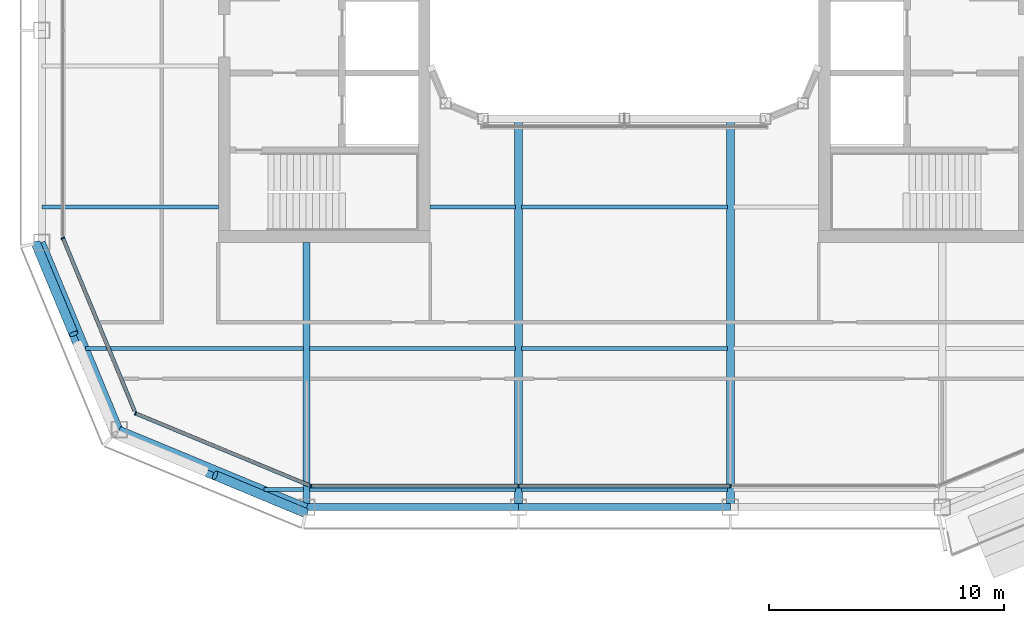
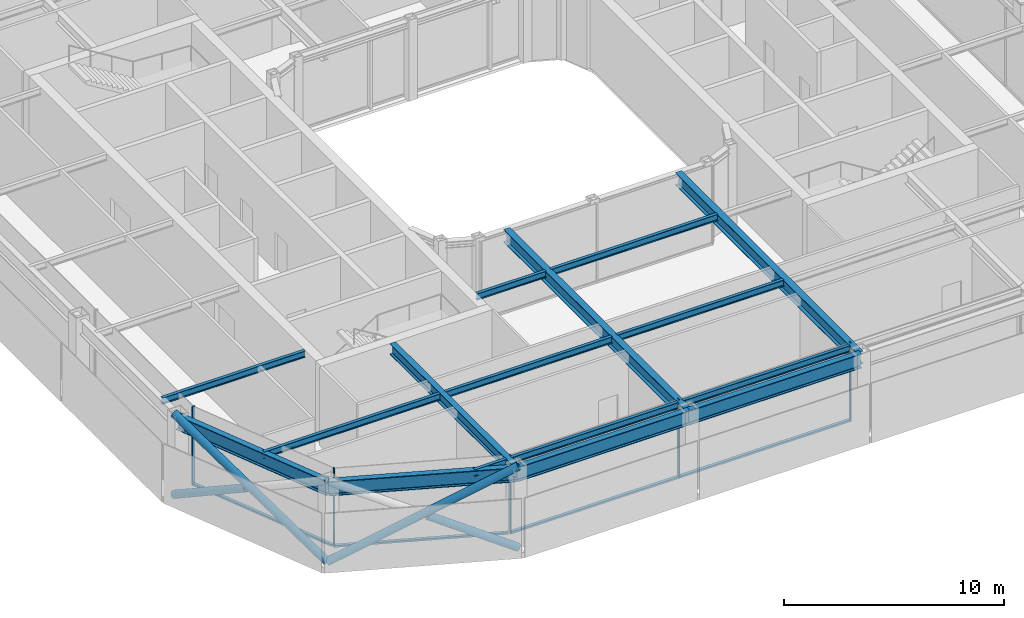
# One storey, part 3 of 21: 16 beams, 13 members, 3 elements without a shape of their own.
"""IFC4 building model written with IfcOpenShell, lengths in metres."""

from ifc_helpers import new_model, si_unit, direction, frame, origin, origin_2d, place, context, subcontext, project, spatial, rectangle, hollow_circle, i_section, extrude, material, layer, layer_set, material_profile, profile_set, type_object, element, aggregate, save


model = new_model("IFC4")

# Units and contexts
model_context = context("Model", 3, precision=1e-05, world=origin(), true_north=direction((0.0, 1.0)))
body_context = subcontext(model_context, "Body", "Model", "MODEL_VIEW")
ifc_project = project(units=[si_unit("LENGTHUNIT", "METRE"), si_unit("AREAUNIT", "SQUARE_METRE"), si_unit("VOLUMEUNIT", "CUBIC_METRE"), si_unit("PLANEANGLEUNIT", "RADIAN"), si_unit("MASSUNIT", "GRAM", prefix="KILO")], contexts=[model_context])

# Site, building, storey
site_placement = place(None, origin())
site = spatial("IfcSite", under=ifc_project, at=site_placement, CompositionType="ELEMENT")
building_placement = place(site_placement, origin())
building = spatial("IfcBuilding", under=site, at=building_placement, Name="Siwar Civic Tower", CompositionType="ELEMENT")
storey_placement = place(building_placement, frame((0.0, 0.0, 339.199951171875)))
storey = spatial("IfcBuildingStorey", under=building, at=storey_placement, Name="L73", CompositionType="ELEMENT", Elevation=339.199951171875)

# Curtain wall, members
ifc_material_1 = material(Name="Aluminium and glass", Category="aluminium")
ifc_layer_1 = layer(ifc_material_1, 0.159912109375)
ifc_layer_set_1 = layer_set([ifc_layer_1], Name="Aluminium and glass")
curtain_wall_type_1 = type_object("IfcCurtainWallType", Name="ENV-CW-D", PredefinedType="NOTDEFINED", material=ifc_layer_set_1)
curtain_wall_1_placement = place(storey_placement, origin())
curtain_wall_1 = element("IfcCurtainWall", 1, at=curtain_wall_1_placement, inside=storey, type_object=curtain_wall_type_1, Name="Curtain wall D S", PredefinedType="NOTDEFINED")
ifc_material_2 = material(Name="Aluminium 6063-T6", Category="aluminium")
ifc_material_profile_1 = material_profile(ifc_material_2, rectangle(XDim=0.159912109375, YDim=0.06005859375, at=origin_2d()), Name="AL 160x60")
ifc_profile_set_1 = profile_set([ifc_material_profile_1], Name="Aluminium 6063-T6")
member_type_1 = type_object("IfcMemberType", Name="ENV-MULLION-D", PredefinedType="MULLION", material=ifc_profile_set_1)
member_1_placement = place(storey_placement, frame((-13.321044921875, -23.85009765625, 0.0), z_axis=(0.0, 0.0, 1.0), x_axis=(0.0, 1.0, 0.0)))
member_1 = element("IfcMember", 2, at=member_1_placement, type_object=member_type_1, Name="Mullion D S 1", PredefinedType="MULLION", context=body_context, shape_type="SweptSolid", body=[
    extrude(rectangle(XDim=0.159912109375, YDim=0.06005859375, at=origin_2d()), origin(), (0.0, 0.0, 1.0), 4.35009765625),
])
member_2_placement = place(storey_placement, frame((-4.5, -23.85009765625, 0.0), z_axis=(0.0, 0.0, 1.0), x_axis=(0.0, 1.0, 0.0)))
member_2 = element("IfcMember", 3, at=member_2_placement, type_object=member_type_1, Name="Mullion D S 2", PredefinedType="MULLION", context=body_context, shape_type="SweptSolid", body=[
    extrude(rectangle(XDim=0.159912109375, YDim=0.06005859375, at=origin_2d()), origin(), (0.0, 0.0, 1.0), 4.35009765625),
])
member_3_placement = place(storey_placement, frame((4.5, -23.85009765625, 0.0), z_axis=(0.0, 0.0, 1.0), x_axis=(0.0, 1.0, 0.0)))
member_3 = element("IfcMember", 4, at=member_3_placement, type_object=member_type_1, Name="Mullion D S 3", PredefinedType="MULLION", context=body_context, shape_type="SweptSolid", body=[
    extrude(rectangle(XDim=0.159912109375, YDim=0.06005859375, at=origin_2d()), origin(), (0.0, 0.0, 1.0), 4.35009765625),
])

# Curtain wall, member
ifc_material_3 = material(Name="Aluminium clad insulated panel", Category="aluminium")
ifc_layer_2 = layer(ifc_material_3, 0.159912109375)
ifc_layer_set_2 = layer_set([ifc_layer_2], Name="Aluminium clad insulated panel")
curtain_wall_type_2 = type_object("IfcCurtainWallType", Name="ENV-CW-DX", PredefinedType="NOTDEFINED", material=ifc_layer_set_2)
curtain_wall_2_placement = place(storey_placement, origin())
curtain_wall_2 = element("IfcCurtainWall", 5, at=curtain_wall_2_placement, inside=storey, type_object=curtain_wall_type_2, Name="Curtain wall D SW1", PredefinedType="NOTDEFINED")
member_4_placement = place(storey_placement, frame((-23.85009765625, -13.321044921875, 0.0), z_axis=(0.0, 0.0, 1.0), x_axis=(0.923879532511, 0.382683432365, 0.0)))
member_4 = element("IfcMember", 6, at=member_4_placement, type_object=member_type_1, Name="Mullion D SW1 1", PredefinedType="MULLION", context=body_context, shape_type="SweptSolid", body=[
    extrude(rectangle(XDim=0.159912109375, YDim=0.06005859375, at=origin_2d()), origin(), (0.0, 0.0, 1.0), 4.35009765625),
])

curtain_wall_3_placement = place(storey_placement, origin())
curtain_wall_3 = element("IfcCurtainWall", 7, at=curtain_wall_3_placement, inside=storey, type_object=curtain_wall_type_2, Name="Curtain wall D SW2", PredefinedType="NOTDEFINED")
member_5_placement = place(storey_placement, frame((-20.76611328125, -20.76611328125, 0.0), z_axis=(0.0, 0.0, 1.0), x_axis=(0.382683432365, 0.923879532511, 0.0)))
member_5 = element("IfcMember", 8, at=member_5_placement, type_object=member_type_1, Name="Mullion D SW2 1", PredefinedType="MULLION", context=body_context, shape_type="SweptSolid", body=[
    extrude(rectangle(XDim=0.159912109375, YDim=0.06005859375, at=origin_2d()), origin(), (0.0, 0.0, 1.0), 4.35009765625),
])

# Member
ifc_material_4 = material(Name="Aluminium 6063-T6", Category="aluminium")
ifc_material_profile_2 = material_profile(ifc_material_4, rectangle(XDim=0.159912109375, YDim=0.10009765625, at=origin_2d()), Name="AL 160x100")
ifc_profile_set_2 = profile_set([ifc_material_profile_2], Name="Aluminium 6063-T6")
member_type_2 = type_object("IfcMemberType", Name="ENV-TRANSOM-D", PredefinedType="USERDEFINED", material=ifc_profile_set_2)
member_6_placement = place(storey_placement, frame((-13.291015625, -23.85009765625, 0.050048828125), z_axis=(1.0, 0.0, 0.0), x_axis=(0.0, 1.0, 0.0)))
member_6 = element("IfcMember", 9, at=member_6_placement, type_object=member_type_2, Name="Transom D S 1", ObjectType="TRANSOM", PredefinedType="USERDEFINED", context=body_context, shape_type="SweptSolid", body=[
    extrude(rectangle(XDim=0.159912109375, YDim=0.10009765625, at=origin_2d()), origin(), (0.0, 0.0, 1.0), 8.760986328125),
])

member_7_placement = place(storey_placement, frame((-4.469970703125, -23.85009765625, 0.050048828125), z_axis=(1.0, 0.0, 0.0), x_axis=(0.0, 1.0, 0.0)))
member_7 = element("IfcMember", 10, at=member_7_placement, type_object=member_type_2, Name="Transom D S 2", ObjectType="TRANSOM", PredefinedType="USERDEFINED", context=body_context, shape_type="SweptSolid", body=[
    extrude(rectangle(XDim=0.159912109375, YDim=0.10009765625, at=origin_2d()), origin(), (0.0, 0.0, 1.0), 8.93994140625),
])

aggregate(curtain_wall_1, [member_1, member_2, member_3, member_6, member_7])

member_8_placement = place(storey_placement, frame((-23.838623046875, -13.3486328125, 0.050048828125), z_axis=(0.382699790424, -0.923872756612, 0.0), x_axis=(0.923872756612, 0.382699790424, 0.0)))
member_8 = element("IfcMember", 11, at=member_8_placement, type_object=member_type_2, Name="Transom D SW1 1", ObjectType="TRANSOM", PredefinedType="USERDEFINED", context=body_context, shape_type="SweptSolid", body=[
    extrude(rectangle(XDim=0.159912109375, YDim=0.10009765625, at=origin_2d()), origin(), (0.0, 0.0, 1.0), 7.930908203125),
])

aggregate(curtain_wall_2, [member_4, member_8])

member_9_placement = place(storey_placement, frame((-20.738525390625, -20.777587890625, 0.050048828125), z_axis=(0.923883640343, -0.382673515031, 0.0), x_axis=(0.382673515031, 0.923883640343, 0.0)))
member_9 = element("IfcMember", 12, at=member_9_placement, type_object=member_type_2, Name="Transom D SW2 1", ObjectType="TRANSOM", PredefinedType="USERDEFINED", context=body_context, shape_type="SweptSolid", body=[
    extrude(rectangle(XDim=0.159912109375, YDim=0.10009765625, at=origin_2d()), origin(), (0.0, 0.0, 1.0), 7.930908203125),
])

aggregate(curtain_wall_3, [member_5, member_9])

# Members
ifc_material_5 = material(Name="Steel S355", Category="steel")
ifc_material_profile_3 = material_profile(ifc_material_5, hollow_circle(Radius=0.203125, WallThickness=0.01611328125, at=origin_2d()), Name="CHS406.4x16")
ifc_profile_set_3 = profile_set([ifc_material_profile_3], Name="Steel S355")
member_type_3 = type_object("IfcMemberType", Name="STR-BR-CHS406.4x16", PredefinedType="BRACE", material=ifc_profile_set_3)
member_10_placement = place(storey_placement, frame((-21.6318359375, -21.6318359375, 0.0), z_axis=(0.821142553604, -0.341671493852, 0.457149315816), x_axis=(0.384163874976, 0.923264922524, 0.0)))
element("IfcMember", 13, at=member_10_placement, inside=storey, type_object=member_type_3, Name="L73/brc/DSW1-12-0-1", PredefinedType="BRACE", context=body_context, shape_type="SweptSolid", body=[
    extrude(hollow_circle(Radius=0.203125, WallThickness=0.01611328125, at=origin_2d()), origin(), (0.0, 0.0, 1.0), 9.843505859375),
])
member_11_placement = place(storey_placement, frame((-13.548828125, -24.9951171875, 0.0), z_axis=(-0.821130093572, 0.341659024948, 0.45718101459), x_axis=(-0.384156893273, -0.923267827529, 0.0)))
element("IfcMember", 14, at=member_11_placement, inside=storey, type_object=member_type_3, Name="L73/brc/DSW1-12-0-2", PredefinedType="BRACE", context=body_context, shape_type="SweptSolid", body=[
    extrude(hollow_circle(Radius=0.203125, WallThickness=0.01611328125, at=origin_2d()), origin(), (0.0, 0.0, 1.0), 4.677001953125),
])
member_12_placement = place(storey_placement, frame((-21.6318359375, -21.6318359375, 0.0), z_axis=(-0.341671493852, 0.821142553604, 0.457149315816), x_axis=(-0.923264922524, -0.384163874976, 0.0)))
element("IfcMember", 15, at=member_12_placement, inside=storey, type_object=member_type_3, Name="L73/brc/DSW1-12-0-0", PredefinedType="BRACE", context=body_context, shape_type="SweptSolid", body=[
    extrude(hollow_circle(Radius=0.203125, WallThickness=0.01611328125, at=origin_2d()), origin(), (0.0, 0.0, 1.0), 9.843505859375),
])
member_13_placement = place(storey_placement, frame((-24.9951171875, -13.548828125, 0.0), z_axis=(0.341659024948, -0.821130093572, 0.45718101459), x_axis=(0.923267827529, 0.384156893273, 0.0)))
element("IfcMember", 16, at=member_13_placement, inside=storey, type_object=member_type_3, Name="L73/brc/DSW1-12-0-4", PredefinedType="BRACE", context=body_context, shape_type="SweptSolid", body=[
    extrude(hollow_circle(Radius=0.203125, WallThickness=0.01611328125, at=origin_2d()), origin(), (0.0, 0.0, 1.0), 4.677001953125),
])

# Beams
ifc_material_6 = material(Name="Steel S355", Category="steel")
ifc_material_profile_4 = material_profile(ifc_material_6, i_section(OverallWidth=0.169921875, OverallDepth=0.360107421875, WebThickness=0.008056640625, FlangeThickness=0.0126953125, FilletRadius=0.01806640625, at=origin_2d()), Name="IPE360")
ifc_profile_set_4 = profile_set([ifc_material_profile_4], Name="Steel S355")
beam_type_1 = type_object("IfcBeamType", Name="STR-FB-IPE360", PredefinedType="JOIST", material=ifc_profile_set_4)
beam_1_placement = place(storey_placement, frame((-15.310546875, -24.0, 4.170166015625), z_axis=(1.0, 0.0, 0.0), x_axis=(0.0, 1.0, 0.0)))
element("IfcBeam", 17, at=beam_1_placement, inside=storey, type_object=beam_type_1, Name="L73/bm/F001", PredefinedType="JOIST", context=body_context, shape_type="SweptSolid", body=[
    extrude(i_section(OverallWidth=0.169921875, OverallDepth=0.360107421875, WebThickness=0.008056640625, FlangeThickness=0.0126953125, FilletRadius=0.01806640625, at=origin_2d()), origin(), (0.0, 0.0, 1.0), 1.6806640625),
])
for number, where, z_axis, x_axis, name in (
    (18, (-13.3701171875, -24.0, 4.170166015625), (1.0, 0.0, 0.0), (0.0, 1.0, 0.0), "L73/bm/F002"),
    (19, (-4.3701171875, -24.0, 4.170166015625), (1.0, 0.0, 0.0), (0.0, 1.0, 0.0), "L73/bm/F003"),
):
    element("IfcBeam", number, at=place(storey_placement, frame(where, z_axis=z_axis, x_axis=x_axis)), inside=storey, type_object=beam_type_1, Name=name, PredefinedType="JOIST", context=body_context, shape_type="SweptSolid", body=[
        extrude(i_section(OverallWidth=0.169921875, OverallDepth=0.360107421875, WebThickness=0.008056640625, FlangeThickness=0.0126953125, FilletRadius=0.01806640625, at=origin_2d()), origin(), (0.0, 0.0, 1.0), 8.740234375),
    ])
beam_2_placement = place(storey_placement, frame((-22.885986328125, -18.0, 4.170166015625), z_axis=(1.0, 0.0, 0.0), x_axis=(0.0, 1.0, 0.0)))
element("IfcBeam", 20, at=beam_2_placement, inside=storey, type_object=beam_type_1, Name="L73/bm/F006", PredefinedType="JOIST", context=body_context, shape_type="SweptSolid", body=[
    extrude(i_section(OverallWidth=0.169921875, OverallDepth=0.360107421875, WebThickness=0.008056640625, FlangeThickness=0.0126953125, FilletRadius=0.01806640625, at=origin_2d()), origin(), (0.0, 0.0, 1.0), 9.256103515625),
])
for number, where, z_axis, x_axis, name in (
    (21, (-13.3701171875, -18.0, 4.170166015625), (1.0, 0.0, 0.0), (0.0, 1.0, 0.0), "L73/bm/F007"),
    (22, (-4.3701171875, -18.0, 4.170166015625), (1.0, 0.0, 0.0), (0.0, 1.0, 0.0), "L73/bm/F008"),
):
    element("IfcBeam", number, at=place(storey_placement, frame(where, z_axis=z_axis, x_axis=x_axis)), inside=storey, type_object=beam_type_1, Name=name, PredefinedType="JOIST", context=body_context, shape_type="SweptSolid", body=[
        extrude(i_section(OverallWidth=0.169921875, OverallDepth=0.360107421875, WebThickness=0.008056640625, FlangeThickness=0.0126953125, FilletRadius=0.01806640625, at=origin_2d()), origin(), (0.0, 0.0, 1.0), 8.740234375),
    ])
beam_3_placement = place(storey_placement, frame((-24.75, -12.0, 4.170166015625), z_axis=(1.0, 0.0, 0.0), x_axis=(0.0, 1.0, 0.0)))
element("IfcBeam", 23, at=beam_3_placement, inside=storey, type_object=beam_type_1, Name="L73/bm/F011", PredefinedType="JOIST", context=body_context, shape_type="SweptSolid", body=[
    extrude(i_section(OverallWidth=0.169921875, OverallDepth=0.360107421875, WebThickness=0.008056640625, FlangeThickness=0.0126953125, FilletRadius=0.01806640625, at=origin_2d()), origin(), (0.0, 0.0, 1.0), 7.5),
])
beam_4_placement = place(storey_placement, frame((-8.25, -12.0, 4.170166015625), z_axis=(1.0, 0.0, 0.0), x_axis=(0.0, 1.0, 0.0)))
element("IfcBeam", 24, at=beam_4_placement, inside=storey, type_object=beam_type_1, Name="L73/bm/F012", PredefinedType="JOIST", context=body_context, shape_type="SweptSolid", body=[
    extrude(i_section(OverallWidth=0.169921875, OverallDepth=0.360107421875, WebThickness=0.008056640625, FlangeThickness=0.0126953125, FilletRadius=0.01806640625, at=origin_2d()), origin(), (0.0, 0.0, 1.0), 3.6201171875),
])
beam_5_placement = place(storey_placement, frame((-4.3701171875, -12.0, 4.170166015625), z_axis=(1.0, 0.0, 0.0), x_axis=(0.0, 1.0, 0.0)))
element("IfcBeam", 25, at=beam_5_placement, inside=storey, type_object=beam_type_1, Name="L73/bm/F013", PredefinedType="JOIST", context=body_context, shape_type="SweptSolid", body=[
    extrude(i_section(OverallWidth=0.169921875, OverallDepth=0.360107421875, WebThickness=0.008056640625, FlangeThickness=0.0126953125, FilletRadius=0.01806640625, at=origin_2d()), origin(), (0.0, 0.0, 1.0), 8.740234375),
])
ifc_material_7 = material(Name="Steel S355", Category="steel")
ifc_material_profile_5 = material_profile(ifc_material_7, i_section(OverallWidth=0.300048828125, OverallDepth=0.60009765625, WebThickness=0.015380859375, FlangeThickness=0.030029296875, FilletRadius=0.027099609375, at=origin_2d()), Name="HEB600")
ifc_profile_set_5 = profile_set([ifc_material_profile_5], Name="Steel S355")
beam_type_2 = type_object("IfcBeamType", Name="STR-PG-HEB600", PredefinedType="BEAM", material=ifc_profile_set_5)
beam_6_placement = place(storey_placement, frame((-13.5, -24.75, 4.050048828125), z_axis=(0.0, 1.0, 0.0), x_axis=(-1.0, 0.0, 0.0)))
element("IfcBeam", 26, at=beam_6_placement, inside=storey, type_object=beam_type_2, Name="L73/bm/G01", PredefinedType="BEAM", context=body_context, shape_type="SweptSolid", body=[
    extrude(i_section(OverallWidth=0.300048828125, OverallDepth=0.60009765625, WebThickness=0.015380859375, FlangeThickness=0.030029296875, FilletRadius=0.027099609375, at=origin_2d()), origin(), (0.0, 0.0, 1.0), 11.25),
])
ifc_material_8 = material(Name="Steel S355", Category="steel")
ifc_material_profile_6 = material_profile(ifc_material_8, i_section(OverallWidth=0.340087890625, OverallDepth=0.699951171875, WebThickness=0.013916015625, FlangeThickness=0.030029296875, at=origin_2d()), Name="PG700x340x14x30")
ifc_profile_set_6 = profile_set([ifc_material_profile_6], Name="Steel S355")
beam_type_3 = type_object("IfcBeamType", Name="STR-PG-PG700x340x14x30", PredefinedType="BEAM", material=ifc_profile_set_6)
for number, where, z_axis, x_axis, name in (
    (27, (-4.5, -24.75, 4.0), (0.0, 1.0, 0.0), (-1.0, 0.0, 0.0), "L73/bm/G03"),
    (28, (4.5, -24.75, 4.0), (0.0, 1.0, 0.0), (-1.0, 0.0, 0.0), "L73/bm/G05"),
):
    element("IfcBeam", number, at=place(storey_placement, frame(where, z_axis=z_axis, x_axis=x_axis)), inside=storey, type_object=beam_type_3, Name=name, PredefinedType="BEAM", context=body_context, shape_type="SweptSolid", body=[
        extrude(i_section(OverallWidth=0.340087890625, OverallDepth=0.699951171875, WebThickness=0.013916015625, FlangeThickness=0.030029296875, at=origin_2d()), origin(), (0.0, 0.0, 1.0), 16.5),
    ])
ifc_material_9 = material(Name="Steel S355", Category="steel")
ifc_material_profile_7 = material_profile(ifc_material_9, i_section(OverallWidth=0.300048828125, OverallDepth=0.800048828125, WebThickness=0.017578125, FlangeThickness=0.032958984375, FilletRadius=0.030029296875, at=origin_2d()), Name="HEB800")
ifc_profile_set_7 = profile_set([ifc_material_profile_7], Name="Steel S355")
beam_type_4 = type_object("IfcBeamType", Name="STR-SB-HEB800", PredefinedType="BEAM", material=ifc_profile_set_7)
for number, where, z_axis, x_axis, name in (
    (29, (-13.5, -24.75, 3.949951171875), (1.0, 0.0, 0.0), (0.0, 1.0, 0.0), "L73/bm/SS-0"),
    (30, (-4.5, -24.75, 3.949951171875), (1.0, 0.0, 0.0), (0.0, 1.0, 0.0), "L73/bm/SS-1"),
):
    element("IfcBeam", number, at=place(storey_placement, frame(where, z_axis=z_axis, x_axis=x_axis)), inside=storey, type_object=beam_type_4, Name=name, PredefinedType="BEAM", context=body_context, shape_type="SweptSolid", body=[
        extrude(i_section(OverallWidth=0.300048828125, OverallDepth=0.800048828125, WebThickness=0.017578125, FlangeThickness=0.032958984375, FilletRadius=0.030029296875, at=origin_2d()), origin(), (0.0, 0.0, 1.0), 9.0),
    ])
for number, where, z_axis, x_axis, name in (
    (31, (-24.75, -13.5, 3.949951171875), (0.382699877515, -0.923872720536, 0.0), (0.923872720536, 0.382699877515, 0.0), "L73/bm/SSW1-0"),
    (32, (-21.454833984375, -21.454833984375, 3.949951171875), (0.923872720536, -0.382699877515, 0.0), (0.382699877515, 0.923872720536, 0.0), "L73/bm/SSW2-0"),
):
    element("IfcBeam", number, at=place(storey_placement, frame(where, z_axis=z_axis, x_axis=x_axis)), inside=storey, type_object=beam_type_4, Name=name, PredefinedType="BEAM", context=body_context, shape_type="SweptSolid", body=[
        extrude(i_section(OverallWidth=0.300048828125, OverallDepth=0.800048828125, WebThickness=0.017578125, FlangeThickness=0.032958984375, FilletRadius=0.030029296875, at=origin_2d()), origin(), (0.0, 0.0, 1.0), 8.6103515625),
    ])

save(model, "model.ifc")
